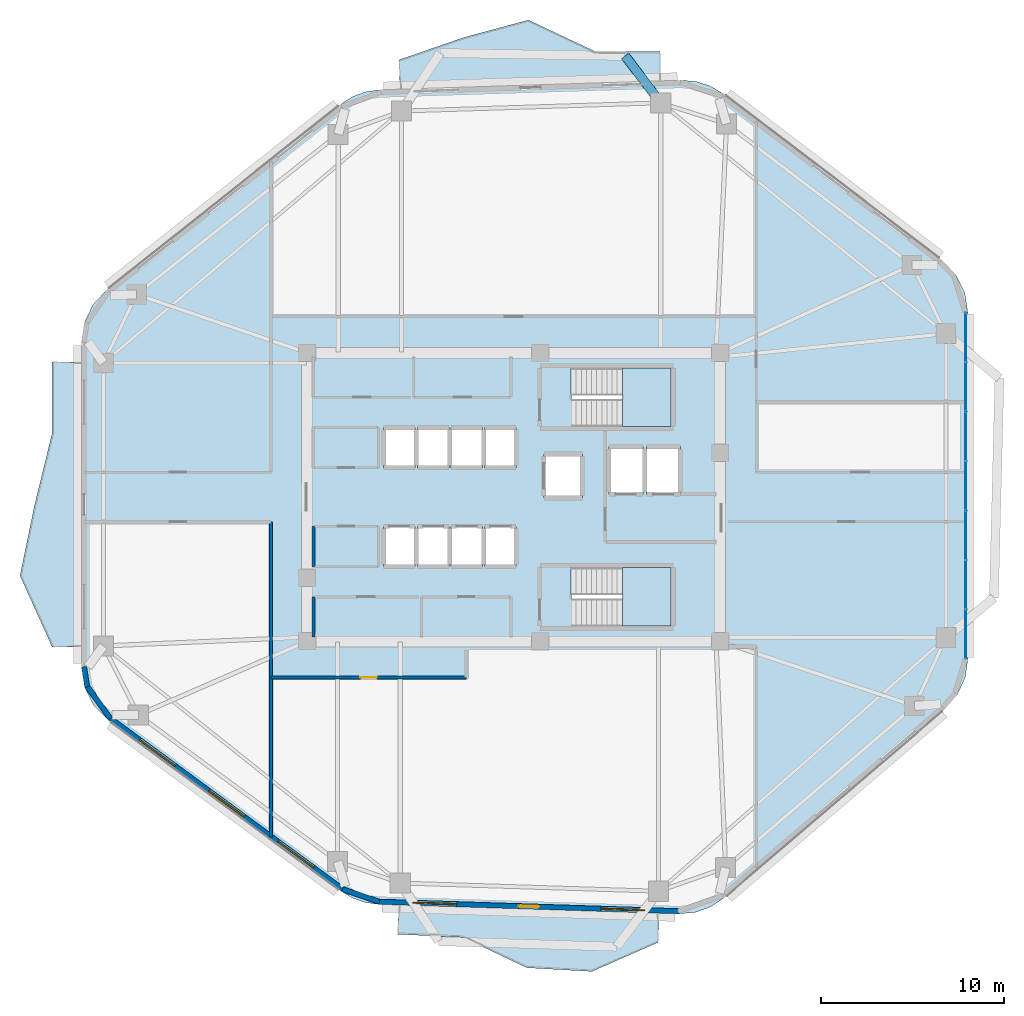
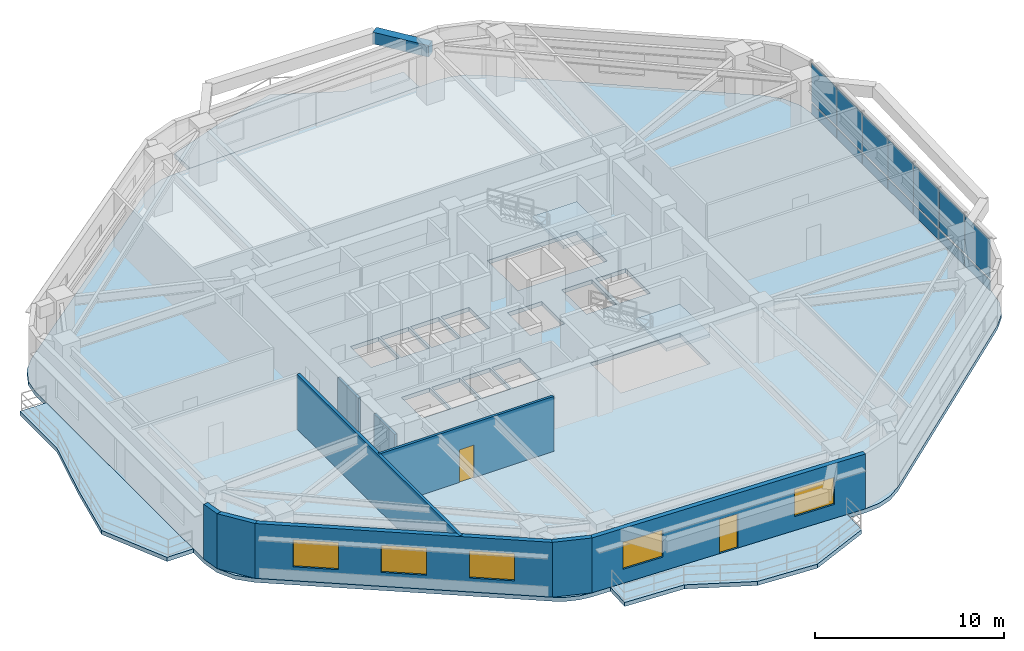
# One storey, part 7 of 13: 14 plates, 9 walls, 6 slabs, 5 windows, 2 doors, 1 beam, 7 openings, 3 elements without a shape of their own.
"""IFC4 building model written with IfcOpenShell, lengths in metres."""

from ifc_helpers import new_model, si_unit, direction, frame, frame_2d, origin, origin_2d, place, context, subcontext, project, spatial, polyline, rectangle, outline, extrude, material, layer, layer_set, material_profile, profile_set, type_object, element, fill, aggregate, save


model = new_model("IFC4")

# Units and contexts
model_context = context("Model", 3, precision=1e-05, world=origin(), true_north=direction((0.0, 1.0)))
body_context = subcontext(model_context, "Body", "Model", "MODEL_VIEW")
ifc_project = project(units=[si_unit("LENGTHUNIT", "METRE"), si_unit("AREAUNIT", "SQUARE_METRE"), si_unit("VOLUMEUNIT", "CUBIC_METRE"), si_unit("PLANEANGLEUNIT", "RADIAN"), si_unit("MASSUNIT", "GRAM", prefix="KILO")], contexts=[model_context])

# Site, building, storey
site_placement = place(None, origin())
site = spatial("IfcSite", under=ifc_project, at=site_placement, CompositionType="ELEMENT")
building_placement = place(site_placement, origin())
building = spatial("IfcBuilding", under=site, at=building_placement, Name="Zulverin Broadcast Headquarters", CompositionType="ELEMENT")
storey_placement = place(building_placement, frame((0.0, 0.0, 155.39990234375)))
storey = spatial("IfcBuildingStorey", under=building, at=storey_placement, Name="L39", CompositionType="ELEMENT", Elevation=155.39990234375)

# Beam
ifc_material_1 = material(Name="Concrete C40/50", Category="concrete")
ifc_material_profile = material_profile(ifc_material_1, rectangle(XDim=0.5, YDim=0.75, at=origin_2d()), Name="Concrete C40/50", Category="concrete")
ifc_profile_set = profile_set([ifc_material_profile], Name="Concrete C40/50")
beam_type = type_object("IfcBeamType", Name="BM-RC-500x750", PredefinedType="BEAM", material=ifc_profile_set)
beam_placement = place(storey_placement, frame((45.027587890625, 46.7236328125, 3.1650390625), z_axis=(-0.60375228791, 0.797171985737, 0.0), x_axis=(-0.797171985737, -0.60375228791, 0.0)))
element("IfcBeam", 1, at=beam_placement, inside=storey, type_object=beam_type, Name="L40 Balcony Column-Framed Cantilever BAL_N-1", PredefinedType="BEAM", context=body_context, shape_type="SweptSolid", body=[
    extrude(rectangle(XDim=0.5, YDim=0.75, at=origin_2d()), origin(), (0.0, 0.0, 1.0), 3.211181640625),
])

# Curtain wall, plates
ifc_material_2 = material(Name="Waist wind-pressure unitised curtain wall", Category="aluminium")
curtain_wall_type = type_object("IfcCurtainWallType", Name="CW-TWR-WST", PredefinedType="USERDEFINED", material=ifc_material_2)
curtain_wall_placement = place(storey_placement, origin())
curtain_wall = element("IfcCurtainWall", 2, at=curtain_wall_placement, inside=storey, type_object=curtain_wall_type, Name="L39 Unitised Curtain Wall CW-L39-E3", ObjectType="UNITISED CURTAIN WALL", PredefinedType="USERDEFINED")
ifc_material_3 = material(Name="Low-E double-glazed pale-silver vision glass", Category="glass")
ifc_layer_1 = layer(ifc_material_3, 0.035888671875, Name="Low-E double-glazed pale-silver vision glass", Category="glass")
ifc_layer_set_1 = layer_set([ifc_layer_1], Name="Low-E double-glazed pale-silver vision glass")
plate_type_1 = type_object("IfcPlateType", Name="CW-PNL-GLZ", PredefinedType="CURTAIN_PANEL", material=ifc_layer_set_1)
plate_1_placement = place(storey_placement, frame((61.679931640625, 17.719482421875, 0.914794921875), z_axis=(0.0, 0.0, 1.0), x_axis=(0.0, 1.0, 0.0)))
plate_1 = element("IfcPlate", 3, at=plate_1_placement, type_object=plate_type_1, Name="CW-L39-E3 Vision Panel 00", PredefinedType="CURTAIN_PANEL", context=body_context, shape_type="SweptSolid", body=[
    extrude(rectangle(XDim=2.660400390625, YDim=0.035888671875, at=origin_2d()), origin(), (0.0, 0.0, 1.0), 2.4853515625),
])
plate_2_placement = place(storey_placement, frame((61.679931640625, 20.419921875, 0.914794921875), z_axis=(0.0, 0.0, 1.0), x_axis=(0.0, 1.0, 0.0)))
plate_2 = element("IfcPlate", 4, at=plate_2_placement, type_object=plate_type_1, Name="CW-L39-E3 Vision Panel 01", PredefinedType="CURTAIN_PANEL", context=body_context, shape_type="SweptSolid", body=[
    extrude(rectangle(XDim=2.660400390625, YDim=0.035888671875, at=origin_2d()), origin(), (0.0, 0.0, 1.0), 2.4853515625),
])
plate_3_placement = place(storey_placement, frame((61.679931640625, 23.1201171875, 0.914794921875), z_axis=(0.0, 0.0, 1.0), x_axis=(0.0, 1.0, 0.0)))
plate_3 = element("IfcPlate", 5, at=plate_3_placement, type_object=plate_type_1, Name="CW-L39-E3 Vision Panel 02", PredefinedType="CURTAIN_PANEL", context=body_context, shape_type="SweptSolid", body=[
    extrude(rectangle(XDim=2.660400390625, YDim=0.035888671875, at=origin_2d()), origin(), (0.0, 0.0, 1.0), 2.4853515625),
])
plate_4_placement = place(storey_placement, frame((61.679931640625, 25.8203125, 0.914794921875), z_axis=(0.0, 0.0, 1.0), x_axis=(0.0, 1.0, 0.0)))
plate_4 = element("IfcPlate", 6, at=plate_4_placement, type_object=plate_type_1, Name="CW-L39-E3 Vision Panel 03", PredefinedType="CURTAIN_PANEL", context=body_context, shape_type="SweptSolid", body=[
    extrude(rectangle(XDim=2.660400390625, YDim=0.035888671875, at=origin_2d()), origin(), (0.0, 0.0, 1.0), 2.4853515625),
])
plate_5_placement = place(storey_placement, frame((61.679931640625, 28.520751953125, 0.914794921875), z_axis=(0.0, 0.0, 1.0), x_axis=(0.0, 1.0, 0.0)))
plate_5 = element("IfcPlate", 7, at=plate_5_placement, type_object=plate_type_1, Name="CW-L39-E3 Vision Panel 04", PredefinedType="CURTAIN_PANEL", context=body_context, shape_type="SweptSolid", body=[
    extrude(rectangle(XDim=2.660400390625, YDim=0.035888671875, at=origin_2d()), origin(), (0.0, 0.0, 1.0), 2.4853515625),
])
plate_6_placement = place(storey_placement, frame((61.679931640625, 31.220947265625, 0.914794921875), z_axis=(0.0, 0.0, 1.0), x_axis=(0.0, 1.0, 0.0)))
plate_6 = element("IfcPlate", 8, at=plate_6_placement, type_object=plate_type_1, Name="CW-L39-E3 Vision Panel 05", PredefinedType="CURTAIN_PANEL", context=body_context, shape_type="SweptSolid", body=[
    extrude(rectangle(XDim=2.660400390625, YDim=0.035888671875, at=origin_2d()), origin(), (0.0, 0.0, 1.0), 2.4853515625),
])
plate_7_placement = place(storey_placement, frame((61.679931640625, 33.92138671875, 0.914794921875), z_axis=(0.0, 0.0, 1.0), x_axis=(0.0, 1.0, 0.0)))
plate_7 = element("IfcPlate", 9, at=plate_7_placement, type_object=plate_type_1, Name="CW-L39-E3 Vision Panel 06", PredefinedType="CURTAIN_PANEL", context=body_context, shape_type="SweptSolid", body=[
    extrude(rectangle(XDim=2.660400390625, YDim=0.035888671875, at=origin_2d()), origin(), (0.0, 0.0, 1.0), 2.4853515625),
])
ifc_material_4 = material(Name="Insulated brushed pale-aluminium spandrel cassette", Category="aluminium")
ifc_layer_2 = layer(ifc_material_4, 0.050048828125, Name="Insulated brushed pale-aluminium spandrel cassette", Category="aluminium")
ifc_layer_set_2 = layer_set([ifc_layer_2], Name="Insulated brushed pale-aluminium spandrel cassette")
plate_type_2 = type_object("IfcPlateType", Name="CW-PNL-SPN", PredefinedType="CURTAIN_PANEL", material=ifc_layer_set_2)
plate_8_placement = place(storey_placement, frame((61.679931640625, 17.719482421875, 0.14013671875), z_axis=(0.0, 0.0, 1.0), x_axis=(0.0, 1.0, 0.0)))
plate_8 = element("IfcPlate", 10, at=plate_8_placement, type_object=plate_type_2, Name="CW-L39-E3 Spandrel Cassette 00", PredefinedType="CURTAIN_PANEL", context=body_context, shape_type="SweptSolid", body=[
    extrude(rectangle(XDim=2.660400390625, YDim=0.050048828125, at=origin_2d()), origin(), (0.0, 0.0, 1.0), 0.64453125),
])
plate_9_placement = place(storey_placement, frame((61.679931640625, 20.419921875, 0.14013671875), z_axis=(0.0, 0.0, 1.0), x_axis=(0.0, 1.0, 0.0)))
plate_9 = element("IfcPlate", 11, at=plate_9_placement, type_object=plate_type_2, Name="CW-L39-E3 Spandrel Cassette 01", PredefinedType="CURTAIN_PANEL", context=body_context, shape_type="SweptSolid", body=[
    extrude(rectangle(XDim=2.660400390625, YDim=0.050048828125, at=origin_2d()), origin(), (0.0, 0.0, 1.0), 0.64453125),
])
plate_10_placement = place(storey_placement, frame((61.679931640625, 23.1201171875, 0.14013671875), z_axis=(0.0, 0.0, 1.0), x_axis=(0.0, 1.0, 0.0)))
plate_10 = element("IfcPlate", 12, at=plate_10_placement, type_object=plate_type_2, Name="CW-L39-E3 Spandrel Cassette 02", PredefinedType="CURTAIN_PANEL", context=body_context, shape_type="SweptSolid", body=[
    extrude(rectangle(XDim=2.660400390625, YDim=0.050048828125, at=origin_2d()), origin(), (0.0, 0.0, 1.0), 0.64453125),
])
plate_11_placement = place(storey_placement, frame((61.679931640625, 25.8203125, 0.14013671875), z_axis=(0.0, 0.0, 1.0), x_axis=(0.0, 1.0, 0.0)))
plate_11 = element("IfcPlate", 13, at=plate_11_placement, type_object=plate_type_2, Name="CW-L39-E3 Spandrel Cassette 03", PredefinedType="CURTAIN_PANEL", context=body_context, shape_type="SweptSolid", body=[
    extrude(rectangle(XDim=2.660400390625, YDim=0.050048828125, at=origin_2d()), origin(), (0.0, 0.0, 1.0), 0.64453125),
])
plate_12_placement = place(storey_placement, frame((61.679931640625, 28.520751953125, 0.14013671875), z_axis=(0.0, 0.0, 1.0), x_axis=(0.0, 1.0, 0.0)))
plate_12 = element("IfcPlate", 14, at=plate_12_placement, type_object=plate_type_2, Name="CW-L39-E3 Spandrel Cassette 04", PredefinedType="CURTAIN_PANEL", context=body_context, shape_type="SweptSolid", body=[
    extrude(rectangle(XDim=2.660400390625, YDim=0.050048828125, at=origin_2d()), origin(), (0.0, 0.0, 1.0), 0.64453125),
])
plate_13_placement = place(storey_placement, frame((61.679931640625, 31.220947265625, 0.14013671875), z_axis=(0.0, 0.0, 1.0), x_axis=(0.0, 1.0, 0.0)))
plate_13 = element("IfcPlate", 15, at=plate_13_placement, type_object=plate_type_2, Name="CW-L39-E3 Spandrel Cassette 05", PredefinedType="CURTAIN_PANEL", context=body_context, shape_type="SweptSolid", body=[
    extrude(rectangle(XDim=2.660400390625, YDim=0.050048828125, at=origin_2d()), origin(), (0.0, 0.0, 1.0), 0.64453125),
])
plate_14_placement = place(storey_placement, frame((61.679931640625, 33.92138671875, 0.14013671875), z_axis=(0.0, 0.0, 1.0), x_axis=(0.0, 1.0, 0.0)))
plate_14 = element("IfcPlate", 16, at=plate_14_placement, type_object=plate_type_2, Name="CW-L39-E3 Spandrel Cassette 06", PredefinedType="CURTAIN_PANEL", context=body_context, shape_type="SweptSolid", body=[
    extrude(rectangle(XDim=2.660400390625, YDim=0.050048828125, at=origin_2d()), origin(), (0.0, 0.0, 1.0), 0.64453125),
])
aggregate(curtain_wall, [plate_8, plate_1, plate_9, plate_2, plate_10, plate_3, plate_11, plate_4, plate_12, plate_5, plate_13, plate_6, plate_14, plate_7])

# Slabs
ifc_layer_3 = layer(ifc_material_1, 0.260009765625, Name="Concrete C40/50", Category="concrete")
ifc_layer_set_3 = layer_set([ifc_layer_3], Name="Concrete C40/50")
slab_type_1 = type_object("IfcSlabType", Name="SLB-BAL-260", PredefinedType="FLOOR", material=ifc_layer_set_3)
slab_1_placement = place(storey_placement, frame((0.0, 0.0, -0.260009765625)))
element("IfcSlab", 17, at=slab_1_placement, inside=storey, type_object=slab_type_1, Name="L39 Cantilevered Planted Balcony Slab BAL_N", PredefinedType="FLOOR", context=body_context, shape_type="SweptSolid", body=[
    extrude(outline(polyline([(30.794189453125, 47.47265625), (45.03955078125, 47.924560546875), (44.98876953125, 49.523681640625), (41.42333984375, 49.53662109375), (37.80419921875, 51.246826171875), (34.26953125, 50.292236328125), (30.743408203125, 49.072021484375), (30.794189453125, 47.47265625)])), origin(), (0.0, 0.0, 1.0), 0.260009765625),
])
slab_2_placement = place(storey_placement, frame((0.0, 0.0, -0.260009765625)))
element("IfcSlab", 18, at=slab_2_placement, inside=storey, type_object=slab_type_1, Name="L39 Cantilevered Planted Balcony Slab BAL_W", PredefinedType="FLOOR", context=body_context, shape_type="SweptSolid", body=[
    extrude(outline(polyline([(13.39990234375, 17.02197265625), (13.39990234375, 32.5732421875), (11.800048828125, 32.5732421875), (11.800048828125, 28.685302734375), (10.8505859375, 24.797607421875), (10.0458984375, 20.90966796875), (11.800048828125, 17.02197265625), (13.39990234375, 17.02197265625)])), origin(), (0.0, 0.0, 1.0), 0.260009765625),
])
slab_3_placement = place(storey_placement, frame((0.0, 0.0, -0.260009765625)))
element("IfcSlab", 19, at=slab_3_placement, inside=storey, type_object=slab_type_1, Name="L39 Cantilevered Planted Balcony Slab BAL_S", PredefinedType="FLOOR", context=body_context, shape_type="SweptSolid", body=[
    extrude(outline(polyline([(44.921630859375, 2.479248046875), (30.720458984375, 2.9296875), (30.669921875, 1.33056640625), (34.21826171875, 1.160888671875), (37.719482421875, -0.498291015625), (41.26708984375, -0.700439453125), (44.87109375, 0.8798828125), (44.921630859375, 2.479248046875)])), origin(), (0.0, 0.0, 1.0), 0.260009765625),
])

# Stair, slab
stair_type = type_object("IfcStairType", Name="ST-CORE-1500", PredefinedType="HALF_TURN_STAIR", material=ifc_material_1)
stair_1_placement = place(storey_placement, origin())
stair_1 = element("IfcStair", 20, at=stair_1_placement, inside=storey, type_object=stair_type, Name="L39 Core Exit Stair ST-1", PredefinedType="HALF_TURN_STAIR")
ifc_layer_4 = layer(ifc_material_1, 0.199951171875, Name="Concrete C40/50", Category="concrete")
ifc_layer_set_4 = layer_set([ifc_layer_4], Name="Concrete C40/50")
slab_type_2 = type_object("IfcSlabType", Name="SLB-ST-LND200", PredefinedType="LANDING", material=ifc_layer_set_4)
slab_4_placement = place(storey_placement, frame((0.0, 0.0, 1.7001953125)))
slab_4 = element("IfcSlab", 21, at=slab_4_placement, type_object=slab_type_2, Name="ST-1 landing 1", PredefinedType="LANDING", context=body_context, shape_type="SweptSolid", body=[
    extrude(outline(polyline([(42.929931640625, 29.050048828125), (45.60009765625, 29.050048828125), (45.60009765625, 32.25), (42.929931640625, 32.25), (42.929931640625, 29.050048828125)])), origin(), (0.0, 0.0, 1.0), 0.199951171875),
])
aggregate(stair_1, [slab_4])

stair_2_placement = place(storey_placement, origin())
stair_2 = element("IfcStair", 22, at=stair_2_placement, inside=storey, type_object=stair_type, Name="L39 Core Exit Stair ST-2", PredefinedType="HALF_TURN_STAIR")
slab_5_placement = place(storey_placement, frame((0.0, 0.0, 1.7001953125)))
slab_5 = element("IfcSlab", 23, at=slab_5_placement, type_object=slab_type_2, Name="ST-2 landing 1", PredefinedType="LANDING", context=body_context, shape_type="SweptSolid", body=[
    extrude(outline(polyline([(42.929931640625, 18.14990234375), (45.60009765625, 18.14990234375), (45.60009765625, 21.35009765625), (42.929931640625, 21.35009765625), (42.929931640625, 18.14990234375)])), origin(), (0.0, 0.0, 1.0), 0.199951171875),
])
aggregate(stair_2, [slab_5])

# Slab
ifc_layer_5 = layer(ifc_material_1, 0.260009765625, Name="Concrete C40/50", Category="concrete")
ifc_layer_set_5 = layer_set([ifc_layer_5], Name="Concrete C40/50")
slab_type_3 = type_object("IfcSlabType", Name="SLB-TWR-260", PredefinedType="FLOOR", material=ifc_layer_set_5)
slab_6_placement = place(storey_placement, frame((0.0, 0.0, -0.260009765625)))
element("IfcSlab", 24, at=slab_6_placement, inside=storey, type_object=slab_type_3, Name="L39 Main Structural Floor Slab", PredefinedType="FLOOR", context=body_context, shape_type="SweptSolid", body=[
    extrude(outline(polyline([(27.603515625, 3.661865234375), (28.224365234375, 3.295166015625), (28.906005859375, 3.0595703125), (29.62109375, 2.964599609375), (46.02099609375, 2.4443359375), (46.902587890625, 2.525146484375), (47.738037109375, 2.81884765625), (48.476318359375, 3.3076171875), (60.541015625, 13.63427734375), (61.220703125, 14.41064453125), (61.652099609375, 15.34814453125), (61.800048828125, 16.369384765625), (61.800048828125, 35.271484375), (61.6318359375, 36.358642578125), (61.143310546875, 37.344482421875), (60.3798828125, 38.136474609375), (48.432861328125, 47.226318359375), (47.73095703125, 47.643798828125), (46.952880859375, 47.892578125), (46.138916015625, 47.95947265625), (29.694580078125, 47.437744140625), (28.9365234375, 47.332275390625), (28.2177734375, 47.06884765625), (27.57080078125, 46.659423828125), (14.761962890625, 36.492919921875), (14.02880859375, 35.705810546875), (13.560791015625, 34.737060546875), (13.39990234375, 33.673095703125), (13.39990234375, 15.921875), (13.57421875, 14.815673828125), (14.079833984375, 13.81640625), (14.8681640625, 13.02099609375), (27.603515625, 3.661865234375)]), holes=[polyline([(40.155029296875, 30.75), (40.130126953125, 30.75), (40.130126953125, 32.25), (45.60009765625, 32.25), (45.60009765625, 29.050048828125), (40.155029296875, 29.050048828125), (40.155029296875, 30.75)]), polyline([(40.155029296875, 19.85009765625), (40.130126953125, 19.85009765625), (40.130126953125, 21.35009765625), (45.60009765625, 21.35009765625), (45.60009765625, 18.14990234375), (40.155029296875, 18.14990234375), (40.155029296875, 19.85009765625)]), polyline([(29.89990234375, 21.39990234375), (31.6201171875, 21.39990234375), (31.6201171875, 23.60009765625), (29.89990234375, 23.60009765625), (29.89990234375, 21.39990234375)]), polyline([(31.739990234375, 21.39990234375), (33.4599609375, 21.39990234375), (33.4599609375, 23.60009765625), (31.739990234375, 23.60009765625), (31.739990234375, 21.39990234375)]), polyline([(33.580078125, 21.39990234375), (35.300048828125, 21.39990234375), (35.300048828125, 23.60009765625), (33.580078125, 23.60009765625), (33.580078125, 21.39990234375)]), polyline([(35.419921875, 21.39990234375), (37.139892578125, 21.39990234375), (37.139892578125, 23.60009765625), (35.419921875, 23.60009765625), (35.419921875, 21.39990234375)]), polyline([(29.89990234375, 26.800048828125), (31.6201171875, 26.800048828125), (31.6201171875, 29.0), (29.89990234375, 29.0), (29.89990234375, 26.800048828125)]), polyline([(31.739990234375, 26.800048828125), (33.4599609375, 26.800048828125), (33.4599609375, 29.0), (31.739990234375, 29.0), (31.739990234375, 26.800048828125)]), polyline([(33.580078125, 26.800048828125), (35.300048828125, 26.800048828125), (35.300048828125, 29.0), (33.580078125, 29.0), (33.580078125, 26.800048828125)]), polyline([(35.419921875, 26.800048828125), (37.139892578125, 26.800048828125), (37.139892578125, 29.0), (35.419921875, 29.0), (35.419921875, 26.800048828125)]), polyline([(42.199951171875, 25.35009765625), (44.050048828125, 25.35009765625), (44.050048828125, 27.949951171875), (42.199951171875, 27.949951171875), (42.199951171875, 25.35009765625)]), polyline([(44.25, 25.35009765625), (46.10009765625, 25.35009765625), (46.10009765625, 27.949951171875), (44.25, 27.949951171875), (44.25, 25.35009765625)]), polyline([(38.64990234375, 25.14990234375), (40.75, 25.14990234375), (40.75, 27.550048828125), (38.64990234375, 27.550048828125), (38.64990234375, 25.14990234375)])]), origin(), (0.0, 0.0, 1.0), 0.260009765625),
])

# Wall, openings, door, windows
ifc_material_5 = material(Name="Insulated pale-metal clad concrete spandrel C40/50", Category="concrete")
ifc_layer_6 = layer(ifc_material_5, 0.280029296875, Name="Insulated pale-metal clad concrete spandrel C40/50", Category="concrete")
ifc_layer_set_6 = layer_set([ifc_layer_6], Name="Insulated pale-metal clad concrete spandrel C40/50")
wall_type_1 = type_object("IfcWallType", Name="WL-EXT-280", PredefinedType="STANDARD", material=ifc_layer_set_6)
wall_1_placement = place(storey_placement, frame((29.62548828125, 3.1044921875, 0.0), z_axis=(0.0, 0.0, 1.0), x_axis=(0.99949718661, -0.031707632487, 0.0)))
wall_1 = element("IfcWall", 25, at=wall_1_placement, inside=storey, type_object=wall_type_1, Name="L39 Pale-Metal Clad Spandrel Wall 1", PredefinedType="STANDARD", context=body_context, shape_type="SweptSolid", body=[
    extrude(rectangle(XDim=16.408203125, YDim=0.280029296875, at=frame_2d((8.2041015625, 0.0))), origin(), (0.0, 0.0, 1.0), 3.5400390625),
])
opening_1_placement = place(wall_1_placement, frame((7.654052734375, 0.0, 0.0)))
opening_1 = element("IfcOpeningElement", 26, at=opening_1_placement, cuts=wall_1, Name="Opening D-L39-TR1", PredefinedType="OPENING", context=body_context, shape_type="SweptSolid", body=[
    extrude(rectangle(XDim=1.10009765625, YDim=2.199951171875, at=frame_2d((0.550048828125, 1.10009765625))), frame((0.0, 0.14990234375, 0.0), z_axis=(0.0, -1.0, 0.0), x_axis=(1.0, 0.0, 0.0)), (0.0, 0.0, 1.0), 0.300048828125),
])
opening_2_placement = place(wall_1_placement, frame((1.867919921875, 0.0, 0.89990234375)))
opening_2 = element("IfcOpeningElement", 27, at=opening_2_placement, cuts=wall_1, Name="Opening W-L39-E11", PredefinedType="OPENING", context=body_context, shape_type="SweptSolid", body=[
    extrude(rectangle(XDim=2.39990234375, YDim=1.75, at=frame_2d((1.199951171875, 0.875))), frame((0.0, 0.14990234375, 0.0), z_axis=(0.0, -1.0, 0.0), x_axis=(1.0, 0.0, 0.0)), (0.0, 0.0, 1.0), 0.300048828125),
])
opening_3_placement = place(wall_1_placement, frame((12.14013671875, 0.0, 0.89990234375)))
opening_3 = element("IfcOpeningElement", 28, at=opening_3_placement, cuts=wall_1, Name="Opening W-L39-E12", PredefinedType="OPENING", context=body_context, shape_type="SweptSolid", body=[
    extrude(rectangle(XDim=2.39990234375, YDim=1.75, at=frame_2d((1.199951171875, 0.875))), frame((0.0, 0.14990234375, 0.0), z_axis=(0.0, -1.0, 0.0), x_axis=(1.0, 0.0, 0.0)), (0.0, 0.0, 1.0), 0.300048828125),
])
ifc_material_6 = material(Name="Thermally broken aluminium glazed", Category="aluminium")
door_type_1 = type_object("IfcDoorType", Name="DR-TERR-1100", OperationType="SINGLE_SWING_RIGHT", PredefinedType="DOOR", material=ifc_material_6)
door_1_placement = place(opening_1_placement, origin())
door_1 = element("IfcDoor", 29, at=door_1_placement, inside=storey, type_object=door_type_1, Name="L39 Planted Terrace Glazed Access Door 1", OperationType="SINGLE_SWING_RIGHT", OverallHeight=2.199951171875, OverallWidth=1.10009765625, PredefinedType="DOOR", context=body_context, shape_type="SweptSolid", body=[
    extrude(rectangle(XDim=1.10009765625, YDim=2.199951171875, at=frame_2d((0.550048828125, 1.10009765625))), frame((0.0, 0.02490234375, 0.0), z_axis=(0.0, -1.0, 0.0), x_axis=(1.0, 0.0, 0.0)), (0.0, 0.0, 1.0), 0.050048828125),
])
fill(opening_1, door_1)
ifc_material_7 = material(Name="Pale anodized aluminium frame with solar-control low-E double glazing", Category="aluminium")
window_type = type_object("IfcWindowType", Name="WIN-RIB-2400", PartitioningType="SINGLE_PANEL", PredefinedType="WINDOW", material=ifc_material_7)
window_1_placement = place(opening_2_placement, origin())
window_1 = element("IfcWindow", 30, at=window_1_placement, inside=storey, type_object=window_type, Name="L39 Ribbon Glazing Window 1 1", OverallHeight=1.75, OverallWidth=2.39990234375, PartitioningType="SINGLE_PANEL", PredefinedType="WINDOW", context=body_context, shape_type="SweptSolid", body=[
    extrude(rectangle(XDim=2.39990234375, YDim=1.75, at=frame_2d((1.199951171875, 0.875))), frame((0.0, 0.030029296875, 0.0), z_axis=(0.0, -1.0, 0.0), x_axis=(1.0, 0.0, 0.0)), (0.0, 0.0, 1.0), 0.06005859375),
])
fill(opening_2, window_1)
window_2_placement = place(opening_3_placement, origin())
window_2 = element("IfcWindow", 31, at=window_2_placement, inside=storey, type_object=window_type, Name="L39 Ribbon Glazing Window 1 2", OverallHeight=1.75, OverallWidth=2.39990234375, PartitioningType="SINGLE_PANEL", PredefinedType="WINDOW", context=body_context, shape_type="SweptSolid", body=[
    extrude(rectangle(XDim=2.39990234375, YDim=1.75, at=frame_2d((1.199951171875, 0.875))), frame((0.0, 0.030029296875, 0.0), z_axis=(0.0, -1.0, 0.0), x_axis=(1.0, 0.0, 0.0)), (0.0, 0.0, 1.0), 0.06005859375),
])
fill(opening_3, window_2)

# Wall, openings, windows
wall_2_placement = place(storey_placement, frame((14.950927734375, 13.1337890625, 0.0), z_axis=(0.0, 0.0, 1.0), x_axis=(0.805804940328, -0.592181051827, 0.0)))
wall_2 = element("IfcWall", 32, at=wall_2_placement, inside=storey, type_object=wall_type_1, Name="L39 Pale-Metal Clad Spandrel Wall 8", PredefinedType="STANDARD", context=body_context, shape_type="SweptSolid", body=[
    extrude(rectangle(XDim=15.804443359375, YDim=0.280029296875, at=frame_2d((7.90234375, 0.0))), origin(), (0.0, 0.0, 1.0), 3.5400390625),
])
opening_4_placement = place(wall_2_placement, frame((2.017333984375, 0.0, 0.89990234375)))
opening_4 = element("IfcOpeningElement", 33, at=opening_4_placement, cuts=wall_2, Name="Opening W-L39-E81", PredefinedType="OPENING", context=body_context, shape_type="SweptSolid", body=[
    extrude(rectangle(XDim=2.39990234375, YDim=1.75, at=frame_2d((1.199951171875, 0.875))), frame((0.0, 0.14990234375, 0.0), z_axis=(0.0, -1.0, 0.0), x_axis=(1.0, 0.0, 0.0)), (0.0, 0.0, 1.0), 0.300048828125),
])
opening_5_placement = place(wall_2_placement, frame((6.702392578125, 0.0, 0.89990234375)))
opening_5 = element("IfcOpeningElement", 34, at=opening_5_placement, cuts=wall_2, Name="Opening W-L39-E82", PredefinedType="OPENING", context=body_context, shape_type="SweptSolid", body=[
    extrude(rectangle(XDim=2.39990234375, YDim=1.75, at=frame_2d((1.199951171875, 0.875))), frame((0.0, 0.14990234375, 0.0), z_axis=(0.0, -1.0, 0.0), x_axis=(1.0, 0.0, 0.0)), (0.0, 0.0, 1.0), 0.300048828125),
])
opening_6_placement = place(wall_2_placement, frame((11.38720703125, 0.0, 0.89990234375)))
opening_6 = element("IfcOpeningElement", 35, at=opening_6_placement, cuts=wall_2, Name="Opening W-L39-E83", PredefinedType="OPENING", context=body_context, shape_type="SweptSolid", body=[
    extrude(rectangle(XDim=2.39990234375, YDim=1.75, at=frame_2d((1.199951171875, 0.875))), frame((0.0, 0.14990234375, 0.0), z_axis=(0.0, -1.0, 0.0), x_axis=(1.0, 0.0, 0.0)), (0.0, 0.0, 1.0), 0.300048828125),
])
window_3_placement = place(opening_4_placement, origin())
window_3 = element("IfcWindow", 36, at=window_3_placement, inside=storey, type_object=window_type, Name="L39 Ribbon Glazing Window 8 1", OverallHeight=1.75, OverallWidth=2.39990234375, PartitioningType="SINGLE_PANEL", PredefinedType="WINDOW", context=body_context, shape_type="SweptSolid", body=[
    extrude(rectangle(XDim=2.39990234375, YDim=1.75, at=frame_2d((1.199951171875, 0.875))), frame((0.0, 0.030029296875, 0.0), z_axis=(0.0, -1.0, 0.0), x_axis=(1.0, 0.0, 0.0)), (0.0, 0.0, 1.0), 0.06005859375),
])
fill(opening_4, window_3)
window_4_placement = place(opening_5_placement, origin())
window_4 = element("IfcWindow", 37, at=window_4_placement, inside=storey, type_object=window_type, Name="L39 Ribbon Glazing Window 8 2", OverallHeight=1.75, OverallWidth=2.39990234375, PartitioningType="SINGLE_PANEL", PredefinedType="WINDOW", context=body_context, shape_type="SweptSolid", body=[
    extrude(rectangle(XDim=2.39990234375, YDim=1.75, at=frame_2d((1.199951171875, 0.875))), frame((0.0, 0.030029296875, 0.0), z_axis=(0.0, -1.0, 0.0), x_axis=(1.0, 0.0, 0.0)), (0.0, 0.0, 1.0), 0.06005859375),
])
fill(opening_5, window_4)
window_5_placement = place(opening_6_placement, origin())
window_5 = element("IfcWindow", 38, at=window_5_placement, inside=storey, type_object=window_type, Name="L39 Ribbon Glazing Window 8 3", OverallHeight=1.75, OverallWidth=2.39990234375, PartitioningType="SINGLE_PANEL", PredefinedType="WINDOW", context=body_context, shape_type="SweptSolid", body=[
    extrude(rectangle(XDim=2.39990234375, YDim=1.75, at=frame_2d((1.199951171875, 0.875))), frame((0.0, 0.030029296875, 0.0), z_axis=(0.0, -1.0, 0.0), x_axis=(1.0, 0.0, 0.0)), (0.0, 0.0, 1.0), 0.06005859375),
])
fill(opening_6, window_5)

# Walls
wall_3_placement = place(storey_placement, frame((13.538330078125, 15.943603515625, 0.0), z_axis=(0.0, 0.0, 1.0), x_axis=(0.155447556013, -0.987844146275, 0.0)))
element("IfcWall", 39, at=wall_3_placement, inside=storey, type_object=wall_type_1, Name="L39 Wind-Shaped Corner Spandrel Wall 7-1", PredefinedType="STANDARD", context=body_context, shape_type="SweptSolid", body=[
    extrude(rectangle(XDim=1.119873046875, YDim=0.280029296875, at=frame_2d((0.56005859375, 0.0))), origin(), (0.0, 0.0, 1.0), 3.5400390625),
])
wall_4_placement = place(storey_placement, frame((13.687744140625, 14.897705078125, 0.0), z_axis=(0.0, 0.0, 1.0), x_axis=(0.584833657716, -0.811153248655, 0.0)))
element("IfcWall", 40, at=wall_4_placement, inside=storey, type_object=wall_type_1, Name="L39 Wind-Shaped Corner Spandrel Wall 7-2", PredefinedType="STANDARD", context=body_context, shape_type="SweptSolid", body=[
    extrude(rectangle(XDim=2.21240234375, YDim=0.280029296875, at=frame_2d((1.106201171875, 0.0))), origin(), (0.0, 0.0, 1.0), 3.5400390625),
])
wall_5_placement = place(storey_placement, frame((27.649169921875, 3.794189453125, 0.0), z_axis=(0.0, 0.0, 1.0), x_axis=(0.945149124969, -0.326639145802, 0.0)))
element("IfcWall", 41, at=wall_5_placement, inside=storey, type_object=wall_type_1, Name="L39 Wind-Shaped Corner Spandrel Wall 8-1", PredefinedType="STANDARD", context=body_context, shape_type="SweptSolid", body=[
    extrude(rectangle(XDim=2.134765625, YDim=0.280029296875, at=frame_2d((1.0673828125, 0.0))), origin(), (0.0, 0.0, 1.0), 3.5400390625),
])
ifc_material_8 = material(Name="Fire-rated gypsum stud partition", Category="gypsum")
ifc_layer_7 = layer(ifc_material_8, 0.14990234375, Name="Fire-rated gypsum stud partition", Category="gypsum")
ifc_layer_set_7 = layer_set([ifc_layer_7], Name="Fire-rated gypsum stud partition")
wall_type_2 = type_object("IfcWallType", Name="WL-PART-150", PredefinedType="PARTITIONING", material=ifc_layer_set_7)
wall_6_placement = place(storey_placement, frame((26.070068359375, 17.550048828125, 0.0), z_axis=(0.0, 0.0, 1.0), x_axis=(0.0, 1.0, 0.0)))
element("IfcWall", 42, at=wall_6_placement, inside=storey, type_object=wall_type_2, Name="L39 Core Female WC West Wall", PredefinedType="PARTITIONING", context=body_context, shape_type="SweptSolid", body=[
    extrude(rectangle(XDim=2.199951171875, YDim=0.14990234375, at=frame_2d((1.10009765625, 0.0))), origin(), (0.0, 0.0, 1.0), 2.64013671875),
])
wall_7_placement = place(storey_placement, frame((26.070068359375, 21.39990234375, 0.0), z_axis=(0.0, 0.0, 1.0), x_axis=(0.0, 1.0, 0.0)))
element("IfcWall", 43, at=wall_7_placement, inside=storey, type_object=wall_type_2, Name="L39 Media Ingestion Server Room W Wall", PredefinedType="PARTITIONING", context=body_context, shape_type="SweptSolid", body=[
    extrude(rectangle(XDim=2.2001953125, YDim=0.14990234375, at=frame_2d((1.10009765625, 0.0))), origin(), (0.0, 0.0, 1.0), 2.64013671875),
])

# Wall, opening, door
wall_8_placement = place(storey_placement, frame((23.75, 15.35009765625, 0.0), z_axis=(0.0, 0.0, 1.0), x_axis=(1.0, 0.0, 0.0)))
wall_8 = element("IfcWall", 44, at=wall_8_placement, inside=storey, type_object=wall_type_2, Name="L39 Gallery Partition Wall CG-06", PredefinedType="PARTITIONING", context=body_context, shape_type="SweptSolid", body=[
    extrude(rectangle(XDim=10.64990234375, YDim=0.14990234375, at=frame_2d((5.324951171875, 0.0))), origin(), (0.0, 0.0, 1.0), 3.5400390625),
])
opening_7_placement = place(wall_8_placement, frame((4.875, 0.0, 0.0)))
opening_7 = element("IfcOpeningElement", 45, at=opening_7_placement, cuts=wall_8, Name="Opening D-L39-02", PredefinedType="OPENING", context=body_context, shape_type="SweptSolid", body=[
    extrude(rectangle(XDim=0.89990234375, YDim=2.10009765625, at=frame_2d((0.449951171875, 1.050048828125))), frame((0.0, 0.0849609375, 0.0), z_axis=(0.0, -1.0, 0.0), x_axis=(1.0, 0.0, 0.0)), (0.0, 0.0, 1.0), 0.169921875),
])
ifc_material_9 = material(Name="Fire-rated hardwood veneer timber leaf", Category="wood")
door_type_2 = type_object("IfcDoorType", Name="DR-ROOM-900", OperationType="SINGLE_SWING_RIGHT", PredefinedType="DOOR", material=ifc_material_9)
door_2_placement = place(opening_7_placement, origin())
door_2 = element("IfcDoor", 46, at=door_2_placement, inside=storey, type_object=door_type_2, Name="L39 Cloud Playout Control Suite Door", OperationType="SINGLE_SWING_RIGHT", OverallHeight=2.10009765625, OverallWidth=0.89990234375, PredefinedType="DOOR", context=body_context, shape_type="SweptSolid", body=[
    extrude(rectangle(XDim=0.89990234375, YDim=2.10009765625, at=frame_2d((0.449951171875, 1.050048828125))), frame((0.0, 0.02490234375, 0.0), z_axis=(0.0, -1.0, 0.0), x_axis=(1.0, 0.0, 0.0)), (0.0, 0.0, 1.0), 0.050048828125),
])
fill(opening_7, door_2)

# Wall
ifc_material_10 = material(Name="Fire-rated acoustic stud wall", Category="gypsum")
ifc_layer_8 = layer(ifc_material_10, 0.175048828125, Name="Fire-rated acoustic stud wall", Category="gypsum")
ifc_layer_set_8 = layer_set([ifc_layer_8], Name="Fire-rated acoustic stud wall")
wall_type_3 = type_object("IfcWallType", Name="WL-PART-175", PredefinedType="PARTITIONING", material=ifc_layer_set_8)
wall_9_placement = place(storey_placement, frame((23.75, 6.6337890625, 0.0), z_axis=(0.0, 0.0, 1.0), x_axis=(0.0, 1.0, 0.0)))
element("IfcWall", 47, at=wall_9_placement, inside=storey, type_object=wall_type_3, Name="L39 Gallery Partition Wall CG-04", PredefinedType="PARTITIONING", context=body_context, shape_type="SweptSolid", body=[
    extrude(rectangle(XDim=17.21630859375, YDim=0.175048828125, at=frame_2d((8.608154296875, 0.0))), origin(), (0.0, 0.0, 1.0), 3.5400390625),
])

save(model, "model.ifc")
